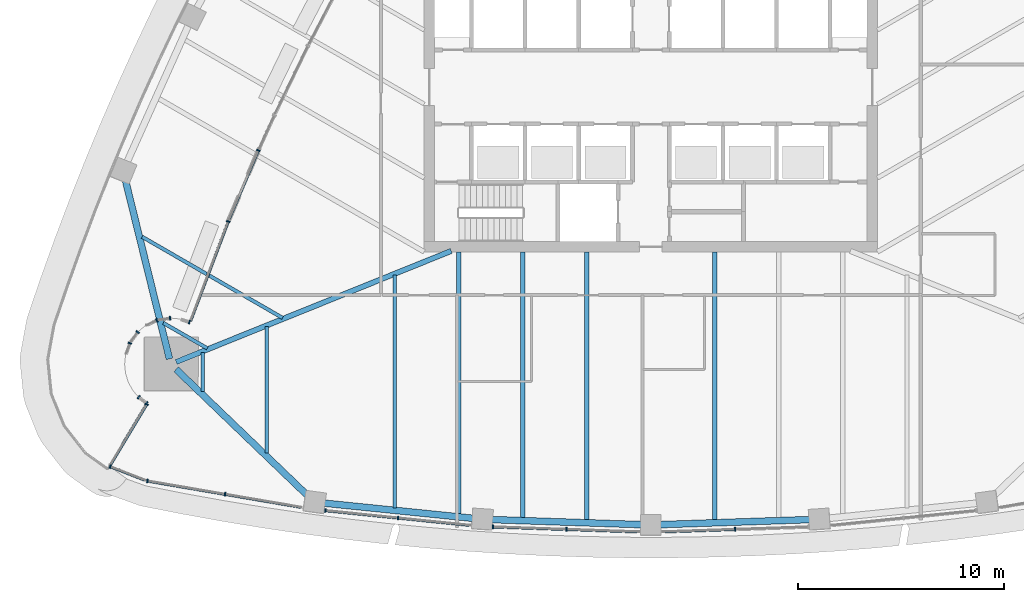
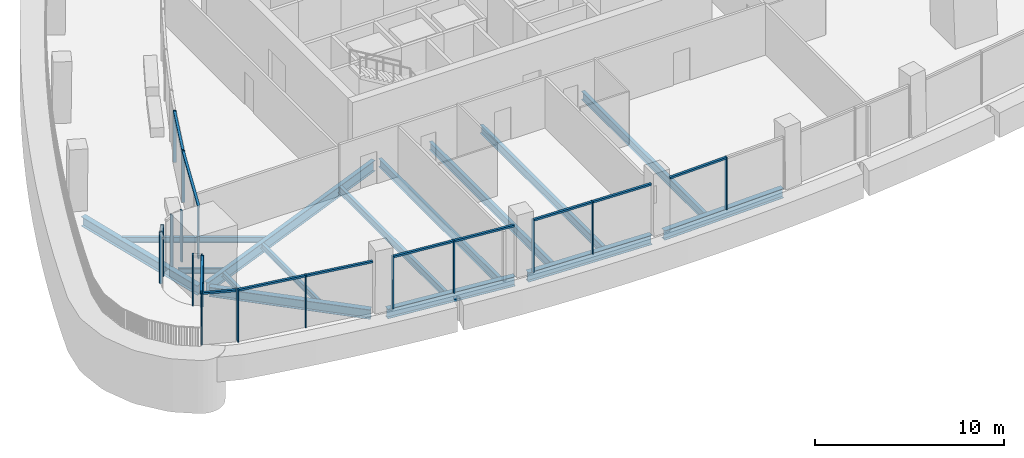
# One storey, part 2 of 18: 29 members, 15 beams, 14 elements without a shape of their own.
"""IFC4 building model written with IfcOpenShell, lengths in metres."""

from ifc_helpers import new_model, si_unit, direction, frame, origin, origin_2d, place, context, subcontext, project, spatial, rectangle, i_section, extrude, material, layer, layer_set, material_profile, profile_set, type_object, element, aggregate, save


model = new_model("IFC4")

# Units and contexts
model_context = context("Model", 3, precision=1e-05, world=origin(), true_north=direction((0.0, 1.0)))
body_context = subcontext(model_context, "Body", "Model", "MODEL_VIEW")
ifc_project = project(units=[si_unit("LENGTHUNIT", "METRE"), si_unit("AREAUNIT", "SQUARE_METRE"), si_unit("VOLUMEUNIT", "CUBIC_METRE"), si_unit("PLANEANGLEUNIT", "RADIAN"), si_unit("MASSUNIT", "GRAM", prefix="KILO")], contexts=[model_context])

# Site, building, storey
site_placement = place(None, origin())
site = spatial("IfcSite", under=ifc_project, at=site_placement, CompositionType="ELEMENT")
building_placement = place(site_placement, origin())
building = spatial("IfcBuilding", under=site, at=building_placement, Name="Sierra Prisma Convention Tower", CompositionType="ELEMENT")
storey_placement = place(building_placement, frame((0.0, 0.0, 189.800048828125)))
storey = spatial("IfcBuildingStorey", under=building, at=storey_placement, Name="L42", CompositionType="ELEMENT", Elevation=189.800048828125)

# Curtain wall, member
ifc_material_1 = material(Name="Aluminium and glass curtain wall", Category="aluminium")
ifc_layer_1 = layer(ifc_material_1, 0.179931640625)
ifc_layer_set_1 = layer_set([ifc_layer_1], Name="CW-1 Plain shaft curtain wall")
curtain_wall_type_1 = type_object("IfcCurtainWallType", Name="CW-1 Plain shaft curtain wall", PredefinedType="NOTDEFINED", material=ifc_layer_set_1)
curtain_wall_1_placement = place(storey_placement, origin())
curtain_wall_1 = element("IfcCurtainWall", 1, at=curtain_wall_1_placement, inside=storey, type_object=curtain_wall_type_1, Name="CW-1 SW5 L42", PredefinedType="NOTDEFINED")
ifc_material_2 = material(Name="Aluminium 6063-T6 bronze anodised", Category="aluminium")
ifc_material_profile_1 = material_profile(ifc_material_2, rectangle(XDim=0.179931640625, YDim=0.070068359375, at=origin_2d()), Name="ALU MULLION 70x180")
ifc_profile_set_1 = profile_set([ifc_material_profile_1], Name="Aluminium 6063-T6 bronze anodised")
member_type_1 = type_object("IfcMemberType", Name="CW mullion bronze", PredefinedType="MULLION", material=ifc_profile_set_1)
member_1_placement = place(storey_placement, frame((-26.240966796875, -18.41845703125, 0.0), z_axis=(0.0, 0.0, 1.0), x_axis=(0.363399801549, 0.931633288496, 0.0)))
member_1 = element("IfcMember", 2, at=member_1_placement, type_object=member_type_1, Name="CW-1 mullion SW5.1", PredefinedType="MULLION", context=body_context, shape_type="SweptSolid", body=[
    extrude(rectangle(XDim=0.179931640625, YDim=0.070068359375, at=origin_2d()), origin(), (0.0, 0.0, 1.0), 3.39990234375),
])

# Curtain wall, members
curtain_wall_2_placement = place(storey_placement, origin())
curtain_wall_2 = element("IfcCurtainWall", 3, at=curtain_wall_2_placement, inside=storey, type_object=curtain_wall_type_1, Name="CW-1 S1 L42", PredefinedType="NOTDEFINED")
member_2_placement = place(storey_placement, frame((-24.429931640625, -19.117431640625, 0.0), z_axis=(0.0, 0.0, 1.0), x_axis=(0.168438070707, 0.985712238098, 0.0)))
member_2 = element("IfcMember", 4, at=member_2_placement, type_object=member_type_1, Name="CW-1 mullion S1.1", PredefinedType="MULLION", context=body_context, shape_type="SweptSolid", body=[
    extrude(rectangle(XDim=0.179931640625, YDim=0.070068359375, at=origin_2d()), origin(), (0.0, 0.0, 1.0), 3.39990234375),
])
member_3_placement = place(storey_placement, frame((-20.664794921875, -19.7607421875, 0.0), z_axis=(0.0, 0.0, 1.0), x_axis=(0.168438070707, 0.985712238098, 0.0)))
member_3 = element("IfcMember", 5, at=member_3_placement, type_object=member_type_1, Name="CW-1 mullion S1.2", PredefinedType="MULLION", context=body_context, shape_type="SweptSolid", body=[
    extrude(rectangle(XDim=0.179931640625, YDim=0.070068359375, at=origin_2d()), origin(), (0.0, 0.0, 1.0), 3.39990234375),
])

curtain_wall_3_placement = place(storey_placement, origin())
curtain_wall_3 = element("IfcCurtainWall", 6, at=curtain_wall_3_placement, inside=storey, type_object=curtain_wall_type_1, Name="CW-1 S2 L42", PredefinedType="NOTDEFINED")
member_4_placement = place(storey_placement, frame((-15.795654296875, -20.552978515625, 0.0), z_axis=(0.0, 0.0, 1.0), x_axis=(0.101372499166, 0.994848539433, 0.0)))
member_4 = element("IfcMember", 7, at=member_4_placement, type_object=member_type_1, Name="CW-1 mullion S2.1", PredefinedType="MULLION", context=body_context, shape_type="SweptSolid", body=[
    extrude(rectangle(XDim=0.179931640625, YDim=0.070068359375, at=origin_2d()), origin(), (0.0, 0.0, 1.0), 3.39990234375),
])
member_5_placement = place(storey_placement, frame((-12.266357421875, -20.91259765625, 0.0), z_axis=(0.0, 0.0, 1.0), x_axis=(0.101372499166, 0.994848539433, 0.0)))
member_5 = element("IfcMember", 8, at=member_5_placement, type_object=member_type_1, Name="CW-1 mullion S2.2", PredefinedType="MULLION", context=body_context, shape_type="SweptSolid", body=[
    extrude(rectangle(XDim=0.179931640625, YDim=0.070068359375, at=origin_2d()), origin(), (0.0, 0.0, 1.0), 3.39990234375),
])

curtain_wall_4_placement = place(storey_placement, origin())
curtain_wall_4 = element("IfcCurtainWall", 9, at=curtain_wall_4_placement, inside=storey, type_object=curtain_wall_type_1, Name="CW-1 S3 L42", PredefinedType="NOTDEFINED")
member_6_placement = place(storey_placement, frame((-7.65771484375, -21.344970703125, 0.0), z_axis=(0.0, 0.0, 1.0), x_axis=(0.033842513539, 0.999427178076, 0.0)))
member_6 = element("IfcMember", 10, at=member_6_placement, type_object=member_type_1, Name="CW-1 mullion S3.1", PredefinedType="MULLION", context=body_context, shape_type="SweptSolid", body=[
    extrude(rectangle(XDim=0.179931640625, YDim=0.070068359375, at=origin_2d()), origin(), (0.0, 0.0, 1.0), 3.39990234375),
])
member_7_placement = place(storey_placement, frame((-4.09619140625, -21.465576171875, 0.0), z_axis=(0.0, 0.0, 1.0), x_axis=(0.033842513539, 0.999427178076, 0.0)))
member_7 = element("IfcMember", 11, at=member_7_placement, type_object=member_type_1, Name="CW-1 mullion S3.2", PredefinedType="MULLION", context=body_context, shape_type="SweptSolid", body=[
    extrude(rectangle(XDim=0.179931640625, YDim=0.070068359375, at=origin_2d()), origin(), (0.0, 0.0, 1.0), 3.39990234375),
])

# Curtain wall, member
curtain_wall_5_placement = place(storey_placement, origin())
curtain_wall_5 = element("IfcCurtainWall", 12, at=curtain_wall_5_placement, inside=storey, type_object=curtain_wall_type_1, Name="CW-1 S4 L42", PredefinedType="NOTDEFINED")
member_8_placement = place(storey_placement, frame((4.09619140625, -21.465576171875, 0.0), z_axis=(0.0, 0.0, 1.0), x_axis=(-0.033842513539, 0.999427178076, 0.0)))
member_8 = element("IfcMember", 13, at=member_8_placement, type_object=member_type_1, Name="CW-1 mullion S4.2", PredefinedType="MULLION", context=body_context, shape_type="SweptSolid", body=[
    extrude(rectangle(XDim=0.179931640625, YDim=0.070068359375, at=origin_2d()), origin(), (0.0, 0.0, 1.0), 3.39990234375),
])

ifc_material_3 = material(Name="Aluminium and glass curtain wall", Category="aluminium")
ifc_layer_2 = layer(ifc_material_3, 0.179931640625)
ifc_layer_set_2 = layer_set([ifc_layer_2], Name="CW-6 Terrace recess curtain wall")
curtain_wall_type_2 = type_object("IfcCurtainWallType", Name="CW-6 Terrace recess curtain wall", PredefinedType="NOTDEFINED", material=ifc_layer_set_2)
curtain_wall_6_placement = place(storey_placement, origin())
curtain_wall_6 = element("IfcCurtainWall", 14, at=curtain_wall_6_placement, inside=storey, type_object=curtain_wall_type_2, Name="CW-6 R11 L42", PredefinedType="NOTDEFINED")
member_9_placement = place(storey_placement, frame((-19.04736328125, -3.076171875, 0.0), z_axis=(0.0, 0.0, 1.0), x_axis=(0.920381050741, -0.391022661027, 0.0)))
member_9 = element("IfcMember", 15, at=member_9_placement, type_object=member_type_1, Name="CW-6 mullion R11.1", PredefinedType="MULLION", context=body_context, shape_type="SweptSolid", body=[
    extrude(rectangle(XDim=0.179931640625, YDim=0.070068359375, at=origin_2d()), origin(), (0.0, 0.0, 1.0), 3.33984375),
])

curtain_wall_7_placement = place(storey_placement, origin())
curtain_wall_7 = element("IfcCurtainWall", 16, at=curtain_wall_7_placement, inside=storey, type_object=curtain_wall_type_2, Name="CW-6 R12 L42", PredefinedType="NOTDEFINED")
member_10_placement = place(storey_placement, frame((-20.510986328125, -6.524658203125, 0.0), z_axis=(0.0, 0.0, 1.0), x_axis=(0.93511920573, -0.354333276839, 0.0)))
member_10 = element("IfcMember", 17, at=member_10_placement, type_object=member_type_1, Name="CW-6 mullion R12.1", PredefinedType="MULLION", context=body_context, shape_type="SweptSolid", body=[
    extrude(rectangle(XDim=0.179931640625, YDim=0.070068359375, at=origin_2d()), origin(), (0.0, 0.0, 1.0), 3.33984375),
])

curtain_wall_8_placement = place(storey_placement, origin())
curtain_wall_8 = element("IfcCurtainWall", 18, at=curtain_wall_8_placement, inside=storey, type_object=curtain_wall_type_2, Name="CW-6 R13 L42", PredefinedType="NOTDEFINED")
member_11_placement = place(storey_placement, frame((-22.399169921875, -11.40869140625, 0.0), z_axis=(0.0, 0.0, 1.0), x_axis=(-0.312913712844, -0.949781558209, 0.0)))
member_11 = element("IfcMember", 19, at=member_11_placement, type_object=member_type_1, Name="CW-6 mullion R13.1", PredefinedType="MULLION", context=body_context, shape_type="SweptSolid", body=[
    extrude(rectangle(XDim=0.179931640625, YDim=0.070068359375, at=origin_2d()), origin(), (0.0, 0.0, 1.0), 3.33984375),
])
aggregate(curtain_wall_8, [member_11])

curtain_wall_9_placement = place(storey_placement, origin())
curtain_wall_9 = element("IfcCurtainWall", 20, at=curtain_wall_9_placement, inside=storey, type_object=curtain_wall_type_2, Name="CW-6 R15 L42", PredefinedType="NOTDEFINED")
member_12_placement = place(storey_placement, frame((-23.33349609375, -11.21826171875, 0.0), z_axis=(0.0, 0.0, 1.0), x_axis=(0.146730474455, -0.989176509965, 0.0)))
member_12 = element("IfcMember", 21, at=member_12_placement, type_object=member_type_1, Name="CW-6 mullion R15.1", PredefinedType="MULLION", context=body_context, shape_type="SweptSolid", body=[
    extrude(rectangle(XDim=0.179931640625, YDim=0.070068359375, at=origin_2d()), origin(), (0.0, 0.0, 1.0), 3.33984375),
])
aggregate(curtain_wall_9, [member_12])

curtain_wall_10_placement = place(storey_placement, origin())
curtain_wall_10 = element("IfcCurtainWall", 22, at=curtain_wall_10_placement, inside=storey, type_object=curtain_wall_type_2, Name="CW-6 R16 L42", PredefinedType="NOTDEFINED")
member_13_placement = place(storey_placement, frame((-23.980224609375, -11.324462890625, 0.0), z_axis=(0.0, 0.0, 1.0), x_axis=(0.42755509343, -0.903989293123, 0.0)))
member_13 = element("IfcMember", 23, at=member_13_placement, type_object=member_type_1, Name="CW-6 mullion R16.1", PredefinedType="MULLION", context=body_context, shape_type="SweptSolid", body=[
    extrude(rectangle(XDim=0.179931640625, YDim=0.070068359375, at=origin_2d()), origin(), (0.0, 0.0, 1.0), 3.33984375),
])
aggregate(curtain_wall_10, [member_13])

curtain_wall_11_placement = place(storey_placement, origin())
curtain_wall_11 = element("IfcCurtainWall", 24, at=curtain_wall_11_placement, inside=storey, type_object=curtain_wall_type_2, Name="CW-6 R18 L42", PredefinedType="NOTDEFINED")
member_14_placement = place(storey_placement, frame((-24.902587890625, -11.89697265625, 0.0), z_axis=(0.0, 0.0, 1.0), x_axis=(0.803207531481, -0.595699304492, 0.0)))
member_14 = element("IfcMember", 25, at=member_14_placement, type_object=member_type_1, Name="CW-6 mullion R18.1", PredefinedType="MULLION", context=body_context, shape_type="SweptSolid", body=[
    extrude(rectangle(XDim=0.179931640625, YDim=0.070068359375, at=origin_2d()), origin(), (0.0, 0.0, 1.0), 3.33984375),
])
aggregate(curtain_wall_11, [member_14])

curtain_wall_12_placement = place(storey_placement, origin())
curtain_wall_12 = element("IfcCurtainWall", 26, at=curtain_wall_12_placement, inside=storey, type_object=curtain_wall_type_2, Name="CW-6 R19 L42", PredefinedType="NOTDEFINED")
member_15_placement = place(storey_placement, frame((-25.284912109375, -12.429443359375, 0.0), z_axis=(0.0, 0.0, 1.0), x_axis=(0.941544065183, -0.336889853392, 0.0)))
member_15 = element("IfcMember", 27, at=member_15_placement, type_object=member_type_1, Name="CW-6 mullion R19.1", PredefinedType="MULLION", context=body_context, shape_type="SweptSolid", body=[
    extrude(rectangle(XDim=0.179931640625, YDim=0.070068359375, at=origin_2d()), origin(), (0.0, 0.0, 1.0), 3.33984375),
])
aggregate(curtain_wall_12, [member_15])

# Curtain wall, members
curtain_wall_13_placement = place(storey_placement, origin())
curtain_wall_13 = element("IfcCurtainWall", 28, at=curtain_wall_13_placement, inside=storey, type_object=curtain_wall_type_2, Name="CW-6 R25 L42", PredefinedType="NOTDEFINED")
member_16_placement = place(storey_placement, frame((-24.853759765625, -15.0556640625, 0.0), z_axis=(0.0, 0.0, 1.0), x_axis=(0.603987645733, 0.796993678646, 0.0)))
member_16 = element("IfcMember", 29, at=member_16_placement, type_object=member_type_1, Name="CW-6 mullion R25.1", PredefinedType="MULLION", context=body_context, shape_type="SweptSolid", body=[
    extrude(rectangle(XDim=0.179931640625, YDim=0.070068359375, at=origin_2d()), origin(), (0.0, 0.0, 1.0), 3.33984375),
])
member_17_placement = place(storey_placement, frame((-24.474853515625, -15.3427734375, 0.0), z_axis=(0.0, 0.0, 1.0), x_axis=(0.603987645733, 0.796993678646, 0.0)))
member_17 = element("IfcMember", 30, at=member_17_placement, type_object=member_type_1, Name="CW-6 mullion R25.2", PredefinedType="MULLION", context=body_context, shape_type="SweptSolid", body=[
    extrude(rectangle(XDim=0.179931640625, YDim=0.070068359375, at=origin_2d()), origin(), (0.0, 0.0, 1.0), 3.33984375),
])
aggregate(curtain_wall_13, [member_16, member_17])

# Curtain wall, member
curtain_wall_14_placement = place(storey_placement, origin())
curtain_wall_14 = element("IfcCurtainWall", 31, at=curtain_wall_14_placement, inside=storey, type_object=curtain_wall_type_2, Name="CW-6 RT2 L42", PredefinedType="NOTDEFINED")
member_18_placement = place(storey_placement, frame((-24.465087890625, -15.393798828125, 0.0), z_axis=(0.0, 0.0, 1.0), x_axis=(0.857330386071, -0.514766557887, 0.0)))
member_18 = element("IfcMember", 32, at=member_18_placement, type_object=member_type_1, Name="CW-6 mullion RT2.1", PredefinedType="MULLION", context=body_context, shape_type="SweptSolid", body=[
    extrude(rectangle(XDim=0.179931640625, YDim=0.070068359375, at=origin_2d()), origin(), (0.0, 0.0, 1.0), 3.33984375),
])

# Member
ifc_material_4 = material(Name="Aluminium 6063-T6 bronze anodised", Category="aluminium")
ifc_material_profile_2 = material_profile(ifc_material_4, rectangle(XDim=0.139892578125, YDim=0.1201171875, at=origin_2d()), Name="ALU TRANSOM 120x140")
ifc_profile_set_2 = profile_set([ifc_material_profile_2], Name="Aluminium 6063-T6 bronze anodised")
member_type_2 = type_object("IfcMemberType", Name="CW transom bronze", PredefinedType="USERDEFINED", material=ifc_profile_set_2)
member_19_placement = place(storey_placement, frame((-26.208251953125, -18.43115234375, 3.33984375), z_axis=(0.931638042578, -0.363387613466, 0.0), x_axis=(0.363387613466, 0.931638042578, 0.0)))
member_19 = element("IfcMember", 33, at=member_19_placement, type_object=member_type_2, Name="CW-1 transom SW5.1", ObjectType="TRANSOM", PredefinedType="USERDEFINED", context=body_context, shape_type="SweptSolid", body=[
    extrude(rectangle(XDim=0.139892578125, YDim=0.1201171875, at=origin_2d()), origin(), (0.0, 0.0, 1.0), 1.802001953125),
])

aggregate(curtain_wall_1, [member_1, member_19])

member_20_placement = place(storey_placement, frame((-24.3955078125, -19.123291015625, 3.33984375), z_axis=(0.985713497351, -0.168430701298, 0.0), x_axis=(0.168430701298, 0.985713497351, 0.0)))
member_20 = element("IfcMember", 34, at=member_20_placement, type_object=member_type_2, Name="CW-1 transom S1.1", ObjectType="TRANSOM", PredefinedType="USERDEFINED", context=body_context, shape_type="SweptSolid", body=[
    extrude(rectangle(XDim=0.139892578125, YDim=0.1201171875, at=origin_2d()), origin(), (0.0, 0.0, 1.0), 3.749755859375),
])

member_21_placement = place(storey_placement, frame((-20.630126953125, -19.7666015625, 3.33984375), z_axis=(0.985711650171, -0.168441511262, 0.0), x_axis=(0.168441511262, 0.985711650171, 0.0)))
member_21 = element("IfcMember", 35, at=member_21_placement, type_object=member_type_2, Name="CW-1 transom S1.2", ObjectType="TRANSOM", PredefinedType="USERDEFINED", context=body_context, shape_type="SweptSolid", body=[
    extrude(rectangle(XDim=0.139892578125, YDim=0.1201171875, at=origin_2d()), origin(), (0.0, 0.0, 1.0), 3.74951171875),
])

aggregate(curtain_wall_2, [member_2, member_3, member_20, member_21])

member_22_placement = place(storey_placement, frame((-15.760986328125, -20.556396484375, 3.33984375), z_axis=(0.994848456842, -0.101373309694, 0.0), x_axis=(0.101373309694, 0.994848456842, 0.0)))
member_22 = element("IfcMember", 36, at=member_22_placement, type_object=member_type_2, Name="CW-1 transom S2.1", ObjectType="TRANSOM", PredefinedType="USERDEFINED", context=body_context, shape_type="SweptSolid", body=[
    extrude(rectangle(XDim=0.139892578125, YDim=0.1201171875, at=origin_2d()), origin(), (0.0, 0.0, 1.0), 3.4775390625),
])

member_23_placement = place(storey_placement, frame((-12.231689453125, -20.916259765625, 3.33984375), z_axis=(0.994855534527, -0.101303827276, 0.0), x_axis=(0.101303827276, 0.994855534527, 0.0)))
member_23 = element("IfcMember", 37, at=member_23_placement, type_object=member_type_2, Name="CW-1 transom S2.2", ObjectType="TRANSOM", PredefinedType="USERDEFINED", context=body_context, shape_type="SweptSolid", body=[
    extrude(rectangle(XDim=0.139892578125, YDim=0.1201171875, at=origin_2d()), origin(), (0.0, 0.0, 1.0), 3.4775390625),
])

aggregate(curtain_wall_3, [member_4, member_5, member_22, member_23])

member_24_placement = place(storey_placement, frame((-7.622802734375, -21.34619140625, 3.33984375), z_axis=(0.999427870493, -0.033822059105, 0.0), x_axis=(0.033822059105, 0.999427870493, 0.0)))
member_24 = element("IfcMember", 38, at=member_24_placement, type_object=member_type_2, Name="CW-1 transom S3.1", ObjectType="TRANSOM", PredefinedType="USERDEFINED", context=body_context, shape_type="SweptSolid", body=[
    extrude(rectangle(XDim=0.139892578125, YDim=0.1201171875, at=origin_2d()), origin(), (0.0, 0.0, 1.0), 3.49365234375),
])

member_25_placement = place(storey_placement, frame((-4.061279296875, -21.466796875, 3.33984375), z_axis=(0.999427870493, -0.033822059105, 0.0), x_axis=(0.033822059105, 0.999427870493, 0.0)))
member_25 = element("IfcMember", 39, at=member_25_placement, type_object=member_type_2, Name="CW-1 transom S3.2", ObjectType="TRANSOM", PredefinedType="USERDEFINED", context=body_context, shape_type="SweptSolid", body=[
    extrude(rectangle(XDim=0.139892578125, YDim=0.1201171875, at=origin_2d()), origin(), (0.0, 0.0, 1.0), 3.49365234375),
])

aggregate(curtain_wall_4, [member_6, member_7, member_24, member_25])

member_26_placement = place(storey_placement, frame((0.569580078125, -21.5849609375, 3.33984375), z_axis=(0.999427870493, 0.033822059105, 0.0), x_axis=(-0.033822059105, 0.999427870493, 0.0)))
member_26 = element("IfcMember", 40, at=member_26_placement, type_object=member_type_2, Name="CW-1 transom S4.1", ObjectType="TRANSOM", PredefinedType="USERDEFINED", context=body_context, shape_type="SweptSolid", body=[
    extrude(rectangle(XDim=0.139892578125, YDim=0.1201171875, at=origin_2d()), origin(), (0.0, 0.0, 1.0), 3.49365234375),
])

aggregate(curtain_wall_5, [member_8, member_26])

member_27_placement = place(storey_placement, frame((-19.061279296875, -3.1083984375, 3.280029296875), z_axis=(-0.390975770867, -0.920400970553, 0.0), x_axis=(0.920400970553, -0.390975770867, 0.0)))
member_27 = element("IfcMember", 41, at=member_27_placement, type_object=member_type_2, Name="CW-6 transom R11.1", ObjectType="TRANSOM", PredefinedType="USERDEFINED", context=body_context, shape_type="SweptSolid", body=[
    extrude(rectangle(XDim=0.139892578125, YDim=0.1201171875, at=origin_2d()), origin(), (0.0, 0.0, 1.0), 3.606201171875),
])

aggregate(curtain_wall_6, [member_9, member_27])

member_28_placement = place(storey_placement, frame((-20.5234375, -6.557373046875, 3.280029296875), z_axis=(-0.354334267683, -0.935118830281, 0.0), x_axis=(0.935118830281, -0.354334267683, 0.0)))
member_28 = element("IfcMember", 42, at=member_28_placement, type_object=member_type_2, Name="CW-6 transom R12.1", ObjectType="TRANSOM", PredefinedType="USERDEFINED", context=body_context, shape_type="SweptSolid", body=[
    extrude(rectangle(XDim=0.139892578125, YDim=0.1201171875, at=origin_2d()), origin(), (0.0, 0.0, 1.0), 5.129638671875),
])

aggregate(curtain_wall_7, [member_10, member_28])

member_29_placement = place(storey_placement, frame((-24.483154296875, -15.423828125, 3.280029296875), z_axis=(-0.514769627986, -0.857328542685, 0.0), x_axis=(0.857328542685, -0.514769627986, 0.0)))
member_29 = element("IfcMember", 43, at=member_29_placement, type_object=member_type_2, Name="CW-6 transom RT2.1", ObjectType="TRANSOM", PredefinedType="USERDEFINED", context=body_context, shape_type="SweptSolid", body=[
    extrude(rectangle(XDim=0.139892578125, YDim=0.1201171875, at=origin_2d()), origin(), (0.0, 0.0, 1.0), 3.408203125),
])

aggregate(curtain_wall_14, [member_18, member_29])

# Beams
ifc_material_5 = material(Name="Steel ASTM A992 Gr 50", Category="steel")
ifc_material_profile_3 = material_profile(ifc_material_5, i_section(OverallWidth=0.172119140625, OverallDepth=0.35791015625, WebThickness=0.0078125, FlangeThickness=0.01318359375, at=origin_2d()), Name="W360x57")
ifc_profile_set_3 = profile_set([ifc_material_profile_3], Name="Steel ASTM A992 Gr 50")
beam_type_1 = type_object("IfcBeamType", Name="Floor joist W360x57", PredefinedType="JOIST", material=ifc_profile_set_3)
beam_1_placement = place(storey_placement, frame((-21.74560546875, -14.767578125, -0.3291015625), z_axis=(0.0, 1.0, 0.0), x_axis=(-1.0, 0.0, 0.0)))
element("IfcBeam", 44, at=beam_1_placement, inside=storey, type_object=beam_type_1, Name="Floor joist L42 S01", PredefinedType="JOIST", context=body_context, shape_type="SweptSolid", body=[
    extrude(i_section(OverallWidth=0.172119140625, OverallDepth=0.35791015625, WebThickness=0.0078125, FlangeThickness=0.01318359375, at=origin_2d()), origin(), (0.0, 0.0, 1.0), 1.888427734375),
])
beam_2_placement = place(storey_placement, frame((-18.63916015625, -17.750244140625, -0.3291015625), z_axis=(0.0, 1.0, 0.0), x_axis=(-1.0, 0.0, 0.0)))
element("IfcBeam", 45, at=beam_2_placement, inside=storey, type_object=beam_type_1, Name="Floor joist L42 S02", PredefinedType="JOIST", context=body_context, shape_type="SweptSolid", body=[
    extrude(i_section(OverallWidth=0.172119140625, OverallDepth=0.35791015625, WebThickness=0.0078125, FlangeThickness=0.01318359375, at=origin_2d()), origin(), (0.0, 0.0, 1.0), 6.125732421875),
])
beam_3_placement = place(storey_placement, frame((-24.691650390625, -7.266845703125, -0.47900390625), z_axis=(0.866017812613, -0.500013148064, 0.0), x_axis=(0.500013148064, 0.866017812613, 0.0)))
element("IfcBeam", 46, at=beam_3_placement, inside=storey, type_object=beam_type_1, Name="Floor joist L42 NW14", PredefinedType="JOIST", context=body_context, shape_type="SweptSolid", body=[
    extrude(i_section(OverallWidth=0.172119140625, OverallDepth=0.35791015625, WebThickness=0.0078125, FlangeThickness=0.01318359375, at=origin_2d()), origin(), (0.0, 0.0, 1.0), 7.875732421875),
])
beam_4_placement = place(storey_placement, frame((-23.661865234375, -11.448486328125, -0.3291015625), z_axis=(0.866022320763, -0.500005339912, 0.0), x_axis=(0.500005339912, 0.866022320763, 0.0)))
element("IfcBeam", 47, at=beam_4_placement, inside=storey, type_object=beam_type_1, Name="Floor joist L42 NW15", PredefinedType="JOIST", context=body_context, shape_type="SweptSolid", body=[
    extrude(i_section(OverallWidth=0.172119140625, OverallDepth=0.35791015625, WebThickness=0.0078125, FlangeThickness=0.01318359375, at=origin_2d()), origin(), (0.0, 0.0, 1.0), 2.46533203125),
])
ifc_material_6 = material(Name="Steel ASTM A992 Gr 50", Category="steel")
ifc_material_profile_4 = material_profile(ifc_material_6, i_section(OverallWidth=0.18994140625, OverallDepth=0.45703125, WebThickness=0.009033203125, FlangeThickness=0.014404296875, at=origin_2d()), Name="W460x74")
ifc_profile_set_4 = profile_set([ifc_material_profile_4], Name="Steel ASTM A992 Gr 50")
beam_type_2 = type_object("IfcBeamType", Name="Floor joist W460x74", PredefinedType="JOIST", material=ifc_profile_set_4)
beam_5_placement = place(storey_placement, frame((-12.426025390625, -20.431396484375, -0.378662109375), z_axis=(0.0, 1.0, 0.0), x_axis=(-1.0, 0.0, 0.0)))
element("IfcBeam", 48, at=beam_5_placement, inside=storey, type_object=beam_type_2, Name="Floor joist L42 S04", PredefinedType="JOIST", context=body_context, shape_type="SweptSolid", body=[
    extrude(i_section(OverallWidth=0.18994140625, OverallDepth=0.45703125, WebThickness=0.009033203125, FlangeThickness=0.014404296875, at=origin_2d()), origin(), (0.0, 0.0, 1.0), 11.316162109375),
])
ifc_material_7 = material(Name="Steel ASTM A992 Gr 50", Category="steel")
ifc_material_profile_5 = material_profile(ifc_material_7, i_section(OverallWidth=0.208984375, OverallDepth=0.532958984375, WebThickness=0.01025390625, FlangeThickness=0.015625, at=origin_2d()), Name="W530x92")
ifc_profile_set_5 = profile_set([ifc_material_profile_5], Name="Steel ASTM A992 Gr 50")
beam_type_3 = type_object("IfcBeamType", Name="Floor joist W530x92", PredefinedType="JOIST", material=ifc_profile_set_5)
beam_6_placement = place(storey_placement, frame((-9.319580078125, -20.748046875, -0.41650390625), z_axis=(0.0, 1.0, 0.0), x_axis=(-1.0, 0.0, 0.0)))
element("IfcBeam", 49, at=beam_6_placement, inside=storey, type_object=beam_type_3, Name="Floor joist L42 S05", PredefinedType="JOIST", context=body_context, shape_type="SweptSolid", body=[
    extrude(i_section(OverallWidth=0.208984375, OverallDepth=0.532958984375, WebThickness=0.01025390625, FlangeThickness=0.015625, at=origin_2d()), origin(), (0.0, 0.0, 1.0), 12.748046875),
])
beam_7_placement = place(storey_placement, frame((-6.213134765625, -20.931396484375, -0.41650390625), z_axis=(0.0, 1.0, 0.0), x_axis=(-1.0, 0.0, 0.0)))
element("IfcBeam", 50, at=beam_7_placement, inside=storey, type_object=beam_type_3, Name="Floor joist L42 S06", PredefinedType="JOIST", context=body_context, shape_type="SweptSolid", body=[
    extrude(i_section(OverallWidth=0.208984375, OverallDepth=0.532958984375, WebThickness=0.01025390625, FlangeThickness=0.015625, at=origin_2d()), origin(), (0.0, 0.0, 1.0), 12.931396484375),
])
for number, where, z_axis, x_axis, name in (
    (51, (-3.1064453125, -21.03662109375, -0.41650390625), (0.0, 1.0, 0.0), (-1.0, 0.0, 0.0), "Floor joist L42 S07"),
    (52, (3.1064453125, -21.03662109375, -0.41650390625), (0.0, 1.0, 0.0), (-1.0, 0.0, 0.0), "Floor joist L42 S09"),
):
    element("IfcBeam", number, at=place(storey_placement, frame(where, z_axis=z_axis, x_axis=x_axis)), inside=storey, type_object=beam_type_3, Name=name, PredefinedType="JOIST", context=body_context, shape_type="SweptSolid", body=[
        extrude(i_section(OverallWidth=0.208984375, OverallDepth=0.532958984375, WebThickness=0.01025390625, FlangeThickness=0.015625, at=origin_2d()), origin(), (0.0, 0.0, 1.0), 13.03662109375),
    ])
ifc_material_8 = material(Name="Steel ASTM A992 Gr 50", Category="steel")
ifc_material_profile_6 = material_profile(ifc_material_8, i_section(OverallWidth=0.25390625, OverallDepth=0.68408203125, WebThickness=0.012451171875, FlangeThickness=0.018798828125, at=origin_2d()), Name="W690x140")
ifc_profile_set_6 = profile_set([ifc_material_profile_6], Name="Steel ASTM A992 Gr 50")
beam_type_4 = type_object("IfcBeamType", Name="Radial girder W690x140", PredefinedType="BEAM", material=ifc_profile_set_6)
beam_8_placement = place(storey_placement, frame((-23.038818359375, -13.3466796875, -0.491943359375), z_axis=(0.927236628638, 0.374475946506, 0.0), x_axis=(-0.374475946506, 0.927236628638, 0.0)))
element("IfcBeam", 53, at=beam_8_placement, inside=storey, type_object=beam_type_4, Name="Radial girder L42 SW", PredefinedType="BEAM", context=body_context, shape_type="SweptSolid", body=[
    extrude(i_section(OverallWidth=0.25390625, OverallDepth=0.68408203125, WebThickness=0.012451171875, FlangeThickness=0.018798828125, at=origin_2d()), origin(), (0.0, 0.0, 1.0), 14.397705078125),
])
ifc_material_9 = material(Name="Steel ASTM A992 Gr 50", Category="steel")
ifc_material_profile_7 = material_profile(ifc_material_9, i_section(OverallWidth=0.324951171875, OverallDepth=0.615966796875, WebThickness=0.013916015625, FlangeThickness=0.021484375, at=origin_2d()), Name="W610x174")
ifc_profile_set_7 = profile_set([ifc_material_profile_7], Name="Steel ASTM A992 Gr 50")
beam_type_5 = type_object("IfcBeamType", Name="Spandrel beam W610x174", PredefinedType="BEAM", material=ifc_profile_set_7)
beam_9_placement = place(storey_placement, frame((-23.038818359375, -13.701171875, -0.4580078125), z_axis=(0.721344673725, -0.692576249729, 0.0), x_axis=(0.692576249729, 0.721344673725, 0.0)))
element("IfcBeam", 54, at=beam_9_placement, inside=storey, type_object=beam_type_5, Name="Spandrel L42-01", PredefinedType="BEAM", context=body_context, shape_type="SweptSolid", body=[
    extrude(i_section(OverallWidth=0.324951171875, OverallDepth=0.615966796875, WebThickness=0.013916015625, FlangeThickness=0.021484375, at=origin_2d()), origin(), (0.0, 0.0, 1.0), 8.808837890625),
])
beam_10_placement = place(storey_placement, frame((-15.946533203125, -20.18603515625, -0.4580078125), z_axis=(0.994848904938, -0.101368912117, 0.0), x_axis=(0.101368912117, 0.994848904938, 0.0)))
element("IfcBeam", 55, at=beam_10_placement, inside=storey, type_object=beam_type_5, Name="Spandrel L42-02", PredefinedType="BEAM", context=body_context, shape_type="SweptSolid", body=[
    extrude(i_section(OverallWidth=0.324951171875, OverallDepth=0.615966796875, WebThickness=0.013916015625, FlangeThickness=0.021484375, at=origin_2d()), origin(), (0.0, 0.0, 1.0), 7.42529296875),
])
for number, where, z_axis, x_axis, name in (
    (56, (-7.801025390625, -20.990234375, -0.4580078125), (0.999427474558, -0.033833756788, 0.0), (0.033833756788, 0.999427474558, 0.0), "Spandrel L42-03"),
    (57, (0.380126953125, -21.241455078125, -0.4580078125), (0.999427474558, 0.033833756788, 0.0), (-0.033833756788, 0.999427474558, 0.0), "Spandrel L42-04"),
):
    element("IfcBeam", number, at=place(storey_placement, frame(where, z_axis=z_axis, x_axis=x_axis)), inside=storey, type_object=beam_type_5, Name=name, PredefinedType="BEAM", context=body_context, shape_type="SweptSolid", body=[
        extrude(i_section(OverallWidth=0.324951171875, OverallDepth=0.615966796875, WebThickness=0.013916015625, FlangeThickness=0.021484375, at=origin_2d()), origin(), (0.0, 0.0, 1.0), 7.425048828125),
    ])
beam_11_placement = place(storey_placement, frame((-25.491455078125, -4.54833984375, -0.608154296875), z_axis=(0.239133226394, -0.970986766148, 0.0), x_axis=(0.970986766148, 0.239133226394, 0.0)))
element("IfcBeam", 58, at=beam_11_placement, inside=storey, type_object=beam_type_5, Name="Spandrel L42-18", PredefinedType="BEAM", context=body_context, shape_type="SweptSolid", body=[
    extrude(i_section(OverallWidth=0.324951171875, OverallDepth=0.615966796875, WebThickness=0.013916015625, FlangeThickness=0.021484375, at=origin_2d()), origin(), (0.0, 0.0, 1.0), 8.901611328125),
])

save(model, "model.ifc")
